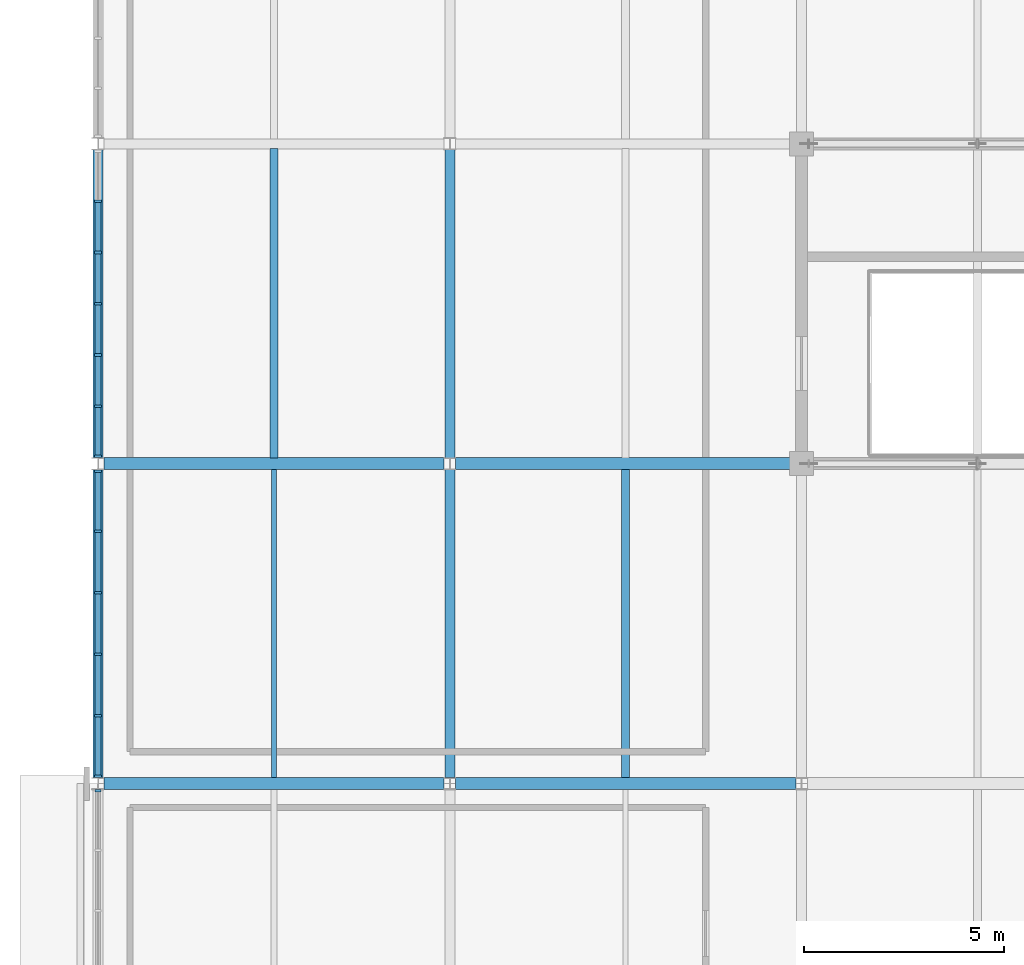
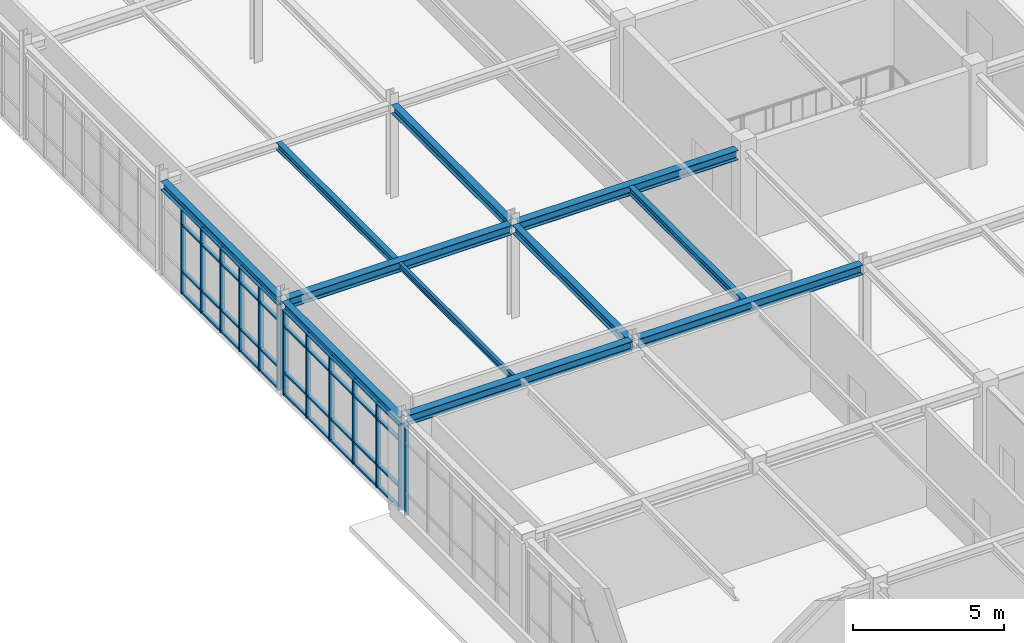
# One storey, part 16 of 64: 53 members, 11 beams, 3 elements without a shape of their own.
"""IFC4 building model written with IfcOpenShell, lengths in metres."""

from ifc_helpers import new_model, si_unit, direction, frame, origin, origin_2d, place, context, subcontext, project, spatial, rectangle, i_section, extrude, material, material_profile, profile_set, type_object, element, aggregate, save


model = new_model("IFC4")

# Units and contexts
model_context = context("Model", 3, precision=1e-05, world=origin(), true_north=direction((0.0, 1.0)))
body_context = subcontext(model_context, "Body", "Model", "MODEL_VIEW")
ifc_project = project(units=[si_unit("LENGTHUNIT", "METRE"), si_unit("AREAUNIT", "SQUARE_METRE"), si_unit("VOLUMEUNIT", "CUBIC_METRE"), si_unit("PLANEANGLEUNIT", "RADIAN"), si_unit("MASSUNIT", "GRAM", prefix="KILO")], contexts=[model_context])

# Site, building, storey
site_placement = place(None, origin())
site = spatial("IfcSite", under=ifc_project, at=site_placement, CompositionType="ELEMENT")
building_placement = place(site_placement, origin())
building = spatial("IfcBuilding", under=site, at=building_placement, Name="Zhaolan Boulevard Law Courts", CompositionType="ELEMENT")
storey_placement = place(building_placement, frame((0.0, 0.0, 20.39990234375)))
storey = spatial("IfcBuildingStorey", under=building, at=storey_placement, Name="L04", CompositionType="ELEMENT", Elevation=20.39990234375)

# Curtain wall, member
ifc_material_1 = material(Name="Thermally broken aluminium and low-E glazing", Category="aluminium")
curtain_wall_type_1 = type_object("IfcCurtainWallType", Name="CURTAIN WALL M3", PredefinedType="USERDEFINED", material=ifc_material_1)
curtain_wall_1_placement = place(storey_placement, origin())
curtain_wall_1 = element("IfcCurtainWall", 1, at=curtain_wall_1_placement, inside=storey, type_object=curtain_wall_type_1, Name="Curtain Wall CW-L04-195", ObjectType="CURTAIN WALL", PredefinedType="USERDEFINED")
ifc_material_2 = material(Name="Fluorocarbon-coated aluminium 6063-T6", Category="aluminium")
ifc_material_profile_1 = material_profile(ifc_material_2, rectangle(XDim=0.159912109375, YDim=0.06005859375, at=origin_2d()), Name="AL60x160")
ifc_profile_set_1 = profile_set([ifc_material_profile_1], Name="Fluorocarbon-coated aluminium 6063-T6")
member_type_1 = type_object("IfcMemberType", Name="CWMULLION 60X160", PredefinedType="MULLION", material=ifc_profile_set_1)
member_1_placement = place(storey_placement, frame((0.0, 77.818115234375, 0.0), z_axis=(0.0, 0.0, 1.0), x_axis=(1.0, 0.0, 0.0)))
member_1 = element("IfcMember", 2, at=member_1_placement, type_object=member_type_1, Name="CW-L04-195 mullion 1", PredefinedType="MULLION", context=body_context, shape_type="SweptSolid", body=[
    extrude(rectangle(XDim=0.159912109375, YDim=0.06005859375, at=origin_2d()), origin(), (0.0, 0.0, 1.0), 3.593017578125),
])
aggregate(curtain_wall_1, [member_1])

# Curtain wall, members
ifc_material_3 = material(Name="Thermally broken aluminium and low-E glazing", Category="aluminium")
curtain_wall_type_2 = type_object("IfcCurtainWallType", Name="CURTAIN WALL M11", PredefinedType="USERDEFINED", material=ifc_material_3)
curtain_wall_2_placement = place(storey_placement, origin())
curtain_wall_2 = element("IfcCurtainWall", 3, at=curtain_wall_2_placement, inside=storey, type_object=curtain_wall_type_2, Name="Curtain Wall CW-L04-131", ObjectType="CURTAIN WALL", PredefinedType="USERDEFINED")
ifc_material_4 = material(Name="Fluorocarbon-coated aluminium 6063-T6", Category="aluminium")
ifc_material_profile_2 = material_profile(ifc_material_4, rectangle(XDim=0.179931640625, YDim=0.06494140625, at=origin_2d()), Name="AL65x180")
ifc_profile_set_2 = profile_set([ifc_material_profile_2], Name="Fluorocarbon-coated aluminium 6063-T6")
member_type_2 = type_object("IfcMemberType", Name="CWMULLION 65X180", PredefinedType="MULLION", material=ifc_profile_set_2)
member_2_placement = place(storey_placement, frame((0.0, 85.8154296875, 0.0), z_axis=(0.0, 0.0, 1.0), x_axis=(1.0, 0.0, 0.0)))
member_2 = element("IfcMember", 4, at=member_2_placement, type_object=member_type_2, Name="CW-L04-131 mullion 1", PredefinedType="MULLION", context=body_context, shape_type="SweptSolid", body=[
    extrude(rectangle(XDim=0.179931640625, YDim=0.06494140625, at=origin_2d()), origin(), (0.0, 0.0, 1.0), 3.423095703125),
])
member_3_placement = place(storey_placement, frame((0.0, 84.308837890625, 0.0), z_axis=(0.0, 0.0, 1.0), x_axis=(1.0, 0.0, 0.0)))
member_3 = element("IfcMember", 5, at=member_3_placement, type_object=member_type_2, Name="CW-L04-131 mullion 2", PredefinedType="MULLION", context=body_context, shape_type="SweptSolid", body=[
    extrude(rectangle(XDim=0.179931640625, YDim=0.06494140625, at=origin_2d()), origin(), (0.0, 0.0, 1.0), 3.423095703125),
])
member_4_placement = place(storey_placement, frame((0.0, 82.76953125, 0.0), z_axis=(0.0, 0.0, 1.0), x_axis=(1.0, 0.0, 0.0)))
member_4 = element("IfcMember", 6, at=member_4_placement, type_object=member_type_2, Name="CW-L04-131 mullion 3", PredefinedType="MULLION", context=body_context, shape_type="SweptSolid", body=[
    extrude(rectangle(XDim=0.179931640625, YDim=0.06494140625, at=origin_2d()), origin(), (0.0, 0.0, 1.0), 3.423095703125),
])
member_5_placement = place(storey_placement, frame((0.0, 81.23046875, 0.0), z_axis=(0.0, 0.0, 1.0), x_axis=(1.0, 0.0, 0.0)))
member_5 = element("IfcMember", 7, at=member_5_placement, type_object=member_type_2, Name="CW-L04-131 mullion 4", PredefinedType="MULLION", context=body_context, shape_type="SweptSolid", body=[
    extrude(rectangle(XDim=0.179931640625, YDim=0.06494140625, at=origin_2d()), origin(), (0.0, 0.0, 1.0), 3.423095703125),
])
member_6_placement = place(storey_placement, frame((0.0, 79.691162109375, 0.0), z_axis=(0.0, 0.0, 1.0), x_axis=(1.0, 0.0, 0.0)))
member_6 = element("IfcMember", 8, at=member_6_placement, type_object=member_type_2, Name="CW-L04-131 mullion 5", PredefinedType="MULLION", context=body_context, shape_type="SweptSolid", body=[
    extrude(rectangle(XDim=0.179931640625, YDim=0.06494140625, at=origin_2d()), origin(), (0.0, 0.0, 1.0), 3.423095703125),
])
member_7_placement = place(storey_placement, frame((0.0, 78.1845703125, 0.0), z_axis=(0.0, 0.0, 1.0), x_axis=(1.0, 0.0, 0.0)))
member_7 = element("IfcMember", 9, at=member_7_placement, type_object=member_type_2, Name="CW-L04-131 mullion 6", PredefinedType="MULLION", context=body_context, shape_type="SweptSolid", body=[
    extrude(rectangle(XDim=0.179931640625, YDim=0.06494140625, at=origin_2d()), origin(), (0.0, 0.0, 1.0), 3.423095703125),
])

ifc_material_5 = material(Name="Thermally broken aluminium and low-E glazing", Category="aluminium")
curtain_wall_type_3 = type_object("IfcCurtainWallType", Name="CURTAIN WALL M12", PredefinedType="USERDEFINED", material=ifc_material_5)
curtain_wall_3_placement = place(storey_placement, origin())
curtain_wall_3 = element("IfcCurtainWall", 10, at=curtain_wall_3_placement, inside=storey, type_object=curtain_wall_type_3, Name="Curtain Wall CW-L04-132", ObjectType="CURTAIN WALL", PredefinedType="USERDEFINED")
member_8_placement = place(storey_placement, frame((0.0, 92.5654296875, 0.0), z_axis=(0.0, 0.0, 1.0), x_axis=(1.0, 0.0, 0.0)))
member_8 = element("IfcMember", 11, at=member_8_placement, type_object=member_type_2, Name="CW-L04-132 mullion 2", PredefinedType="MULLION", context=body_context, shape_type="SweptSolid", body=[
    extrude(rectangle(XDim=0.179931640625, YDim=0.06494140625, at=origin_2d()), origin(), (0.0, 0.0, 1.0), 3.423095703125),
])
member_9_placement = place(storey_placement, frame((0.0, 91.28271484375, 0.0), z_axis=(0.0, 0.0, 1.0), x_axis=(1.0, 0.0, 0.0)))
member_9 = element("IfcMember", 12, at=member_9_placement, type_object=member_type_2, Name="CW-L04-132 mullion 3", PredefinedType="MULLION", context=body_context, shape_type="SweptSolid", body=[
    extrude(rectangle(XDim=0.179931640625, YDim=0.06494140625, at=origin_2d()), origin(), (0.0, 0.0, 1.0), 3.423095703125),
])
member_10_placement = place(storey_placement, frame((0.0, 90.0, 0.0), z_axis=(0.0, 0.0, 1.0), x_axis=(1.0, 0.0, 0.0)))
member_10 = element("IfcMember", 13, at=member_10_placement, type_object=member_type_2, Name="CW-L04-132 mullion 4", PredefinedType="MULLION", context=body_context, shape_type="SweptSolid", body=[
    extrude(rectangle(XDim=0.179931640625, YDim=0.06494140625, at=origin_2d()), origin(), (0.0, 0.0, 1.0), 3.423095703125),
])
member_11_placement = place(storey_placement, frame((0.0, 88.71728515625, 0.0), z_axis=(0.0, 0.0, 1.0), x_axis=(1.0, 0.0, 0.0)))
member_11 = element("IfcMember", 14, at=member_11_placement, type_object=member_type_2, Name="CW-L04-132 mullion 5", PredefinedType="MULLION", context=body_context, shape_type="SweptSolid", body=[
    extrude(rectangle(XDim=0.179931640625, YDim=0.06494140625, at=origin_2d()), origin(), (0.0, 0.0, 1.0), 3.423095703125),
])
member_12_placement = place(storey_placement, frame((0.0, 87.4345703125, 0.0), z_axis=(0.0, 0.0, 1.0), x_axis=(1.0, 0.0, 0.0)))
member_12 = element("IfcMember", 15, at=member_12_placement, type_object=member_type_2, Name="CW-L04-132 mullion 6", PredefinedType="MULLION", context=body_context, shape_type="SweptSolid", body=[
    extrude(rectangle(XDim=0.179931640625, YDim=0.06494140625, at=origin_2d()), origin(), (0.0, 0.0, 1.0), 3.423095703125),
])
member_13_placement = place(storey_placement, frame((0.0, 86.1845703125, 0.0), z_axis=(0.0, 0.0, 1.0), x_axis=(1.0, 0.0, 0.0)))
member_13 = element("IfcMember", 16, at=member_13_placement, type_object=member_type_2, Name="CW-L04-132 mullion 7", PredefinedType="MULLION", context=body_context, shape_type="SweptSolid", body=[
    extrude(rectangle(XDim=0.179931640625, YDim=0.06494140625, at=origin_2d()), origin(), (0.0, 0.0, 1.0), 3.423095703125),
])

# Member
ifc_material_6 = material(Name="Fluorocarbon-coated aluminium 6063-T6", Category="aluminium")
ifc_material_profile_3 = material_profile(ifc_material_6, rectangle(XDim=0.139892578125, YDim=0.06494140625, at=origin_2d()), Name="AL65x140")
ifc_profile_set_3 = profile_set([ifc_material_profile_3], Name="Fluorocarbon-coated aluminium 6063-T6")
member_type_3 = type_object("IfcMemberType", Name="CWTRANSOM 65X140", PredefinedType="USERDEFINED", material=ifc_profile_set_3)
member_14_placement = place(storey_placement, frame((0.0, 85.782958984375, 0.03271484375), z_axis=(0.0, -1.0, 0.0), x_axis=(1.0, 0.0, 0.0)))
member_14 = element("IfcMember", 17, at=member_14_placement, type_object=member_type_3, Name="CW-L04-131 transom 1.1", ObjectType="TRANSOM", PredefinedType="USERDEFINED", context=body_context, shape_type="SweptSolid", body=[
    extrude(rectangle(XDim=0.139892578125, YDim=0.06494140625, at=origin_2d()), origin(), (0.0, 0.0, 1.0), 1.441650390625),
])

member_15_placement = place(storey_placement, frame((0.0, 85.782958984375, 0.900146484375), z_axis=(0.0, -1.0, 0.0), x_axis=(1.0, 0.0, 0.0)))
member_15 = element("IfcMember", 18, at=member_15_placement, type_object=member_type_3, Name="CW-L04-131 transom 1.2", ObjectType="TRANSOM", PredefinedType="USERDEFINED", context=body_context, shape_type="SweptSolid", body=[
    extrude(rectangle(XDim=0.139892578125, YDim=0.06494140625, at=origin_2d()), origin(), (0.0, 0.0, 1.0), 1.441650390625),
])

member_16_placement = place(storey_placement, frame((0.0, 85.782958984375, 2.773193359375), z_axis=(0.0, -1.0, 0.0), x_axis=(1.0, 0.0, 0.0)))
member_16 = element("IfcMember", 19, at=member_16_placement, type_object=member_type_3, Name="CW-L04-131 transom 1.3", ObjectType="TRANSOM", PredefinedType="USERDEFINED", context=body_context, shape_type="SweptSolid", body=[
    extrude(rectangle(XDim=0.139892578125, YDim=0.06494140625, at=origin_2d()), origin(), (0.0, 0.0, 1.0), 1.441650390625),
])

member_17_placement = place(storey_placement, frame((0.0, 85.782958984375, 3.390625), z_axis=(0.0, -1.0, 0.0), x_axis=(1.0, 0.0, 0.0)))
member_17 = element("IfcMember", 20, at=member_17_placement, type_object=member_type_3, Name="CW-L04-131 transom 1.4", ObjectType="TRANSOM", PredefinedType="USERDEFINED", context=body_context, shape_type="SweptSolid", body=[
    extrude(rectangle(XDim=0.139892578125, YDim=0.06494140625, at=origin_2d()), origin(), (0.0, 0.0, 1.0), 1.441650390625),
])

member_18_placement = place(storey_placement, frame((0.0, 84.2763671875, 0.03271484375), z_axis=(0.0, -1.0, 0.0), x_axis=(1.0, 0.0, 0.0)))
member_18 = element("IfcMember", 21, at=member_18_placement, type_object=member_type_3, Name="CW-L04-131 transom 2.1", ObjectType="TRANSOM", PredefinedType="USERDEFINED", context=body_context, shape_type="SweptSolid", body=[
    extrude(rectangle(XDim=0.139892578125, YDim=0.06494140625, at=origin_2d()), origin(), (0.0, 0.0, 1.0), 1.474365234375),
])

member_19_placement = place(storey_placement, frame((0.0, 84.2763671875, 0.900146484375), z_axis=(0.0, -1.0, 0.0), x_axis=(1.0, 0.0, 0.0)))
member_19 = element("IfcMember", 22, at=member_19_placement, type_object=member_type_3, Name="CW-L04-131 transom 2.2", ObjectType="TRANSOM", PredefinedType="USERDEFINED", context=body_context, shape_type="SweptSolid", body=[
    extrude(rectangle(XDim=0.139892578125, YDim=0.06494140625, at=origin_2d()), origin(), (0.0, 0.0, 1.0), 1.474365234375),
])

member_20_placement = place(storey_placement, frame((0.0, 84.2763671875, 2.773193359375), z_axis=(0.0, -1.0, 0.0), x_axis=(1.0, 0.0, 0.0)))
member_20 = element("IfcMember", 23, at=member_20_placement, type_object=member_type_3, Name="CW-L04-131 transom 2.3", ObjectType="TRANSOM", PredefinedType="USERDEFINED", context=body_context, shape_type="SweptSolid", body=[
    extrude(rectangle(XDim=0.139892578125, YDim=0.06494140625, at=origin_2d()), origin(), (0.0, 0.0, 1.0), 1.474365234375),
])

member_21_placement = place(storey_placement, frame((0.0, 84.2763671875, 3.390625), z_axis=(0.0, -1.0, 0.0), x_axis=(1.0, 0.0, 0.0)))
member_21 = element("IfcMember", 24, at=member_21_placement, type_object=member_type_3, Name="CW-L04-131 transom 2.4", ObjectType="TRANSOM", PredefinedType="USERDEFINED", context=body_context, shape_type="SweptSolid", body=[
    extrude(rectangle(XDim=0.139892578125, YDim=0.06494140625, at=origin_2d()), origin(), (0.0, 0.0, 1.0), 1.474365234375),
])

member_22_placement = place(storey_placement, frame((0.0, 82.737060546875, 0.03271484375), z_axis=(0.0, -1.0, 0.0), x_axis=(1.0, 0.0, 0.0)))
member_22 = element("IfcMember", 25, at=member_22_placement, type_object=member_type_3, Name="CW-L04-131 transom 3.1", ObjectType="TRANSOM", PredefinedType="USERDEFINED", context=body_context, shape_type="SweptSolid", body=[
    extrude(rectangle(XDim=0.139892578125, YDim=0.06494140625, at=origin_2d()), origin(), (0.0, 0.0, 1.0), 1.47412109375),
])

member_23_placement = place(storey_placement, frame((0.0, 82.737060546875, 0.900146484375), z_axis=(0.0, -1.0, 0.0), x_axis=(1.0, 0.0, 0.0)))
member_23 = element("IfcMember", 26, at=member_23_placement, type_object=member_type_3, Name="CW-L04-131 transom 3.2", ObjectType="TRANSOM", PredefinedType="USERDEFINED", context=body_context, shape_type="SweptSolid", body=[
    extrude(rectangle(XDim=0.139892578125, YDim=0.06494140625, at=origin_2d()), origin(), (0.0, 0.0, 1.0), 1.47412109375),
])

member_24_placement = place(storey_placement, frame((0.0, 82.737060546875, 2.773193359375), z_axis=(0.0, -1.0, 0.0), x_axis=(1.0, 0.0, 0.0)))
member_24 = element("IfcMember", 27, at=member_24_placement, type_object=member_type_3, Name="CW-L04-131 transom 3.3", ObjectType="TRANSOM", PredefinedType="USERDEFINED", context=body_context, shape_type="SweptSolid", body=[
    extrude(rectangle(XDim=0.139892578125, YDim=0.06494140625, at=origin_2d()), origin(), (0.0, 0.0, 1.0), 1.47412109375),
])

member_25_placement = place(storey_placement, frame((0.0, 82.737060546875, 3.390625), z_axis=(0.0, -1.0, 0.0), x_axis=(1.0, 0.0, 0.0)))
member_25 = element("IfcMember", 28, at=member_25_placement, type_object=member_type_3, Name="CW-L04-131 transom 3.4", ObjectType="TRANSOM", PredefinedType="USERDEFINED", context=body_context, shape_type="SweptSolid", body=[
    extrude(rectangle(XDim=0.139892578125, YDim=0.06494140625, at=origin_2d()), origin(), (0.0, 0.0, 1.0), 1.47412109375),
])

member_26_placement = place(storey_placement, frame((0.0, 81.197998046875, 0.03271484375), z_axis=(0.0, -1.0, 0.0), x_axis=(1.0, 0.0, 0.0)))
member_26 = element("IfcMember", 29, at=member_26_placement, type_object=member_type_3, Name="CW-L04-131 transom 4.1", ObjectType="TRANSOM", PredefinedType="USERDEFINED", context=body_context, shape_type="SweptSolid", body=[
    extrude(rectangle(XDim=0.139892578125, YDim=0.06494140625, at=origin_2d()), origin(), (0.0, 0.0, 1.0), 1.474365234375),
])

member_27_placement = place(storey_placement, frame((0.0, 81.197998046875, 0.900146484375), z_axis=(0.0, -1.0, 0.0), x_axis=(1.0, 0.0, 0.0)))
member_27 = element("IfcMember", 30, at=member_27_placement, type_object=member_type_3, Name="CW-L04-131 transom 4.2", ObjectType="TRANSOM", PredefinedType="USERDEFINED", context=body_context, shape_type="SweptSolid", body=[
    extrude(rectangle(XDim=0.139892578125, YDim=0.06494140625, at=origin_2d()), origin(), (0.0, 0.0, 1.0), 1.474365234375),
])

member_28_placement = place(storey_placement, frame((0.0, 81.197998046875, 2.773193359375), z_axis=(0.0, -1.0, 0.0), x_axis=(1.0, 0.0, 0.0)))
member_28 = element("IfcMember", 31, at=member_28_placement, type_object=member_type_3, Name="CW-L04-131 transom 4.3", ObjectType="TRANSOM", PredefinedType="USERDEFINED", context=body_context, shape_type="SweptSolid", body=[
    extrude(rectangle(XDim=0.139892578125, YDim=0.06494140625, at=origin_2d()), origin(), (0.0, 0.0, 1.0), 1.474365234375),
])

member_29_placement = place(storey_placement, frame((0.0, 81.197998046875, 3.390625), z_axis=(0.0, -1.0, 0.0), x_axis=(1.0, 0.0, 0.0)))
member_29 = element("IfcMember", 32, at=member_29_placement, type_object=member_type_3, Name="CW-L04-131 transom 4.4", ObjectType="TRANSOM", PredefinedType="USERDEFINED", context=body_context, shape_type="SweptSolid", body=[
    extrude(rectangle(XDim=0.139892578125, YDim=0.06494140625, at=origin_2d()), origin(), (0.0, 0.0, 1.0), 1.474365234375),
])

member_30_placement = place(storey_placement, frame((0.0, 79.65869140625, 0.03271484375), z_axis=(0.0, -1.0, 0.0), x_axis=(1.0, 0.0, 0.0)))
member_30 = element("IfcMember", 33, at=member_30_placement, type_object=member_type_3, Name="CW-L04-131 transom 5.1", ObjectType="TRANSOM", PredefinedType="USERDEFINED", context=body_context, shape_type="SweptSolid", body=[
    extrude(rectangle(XDim=0.139892578125, YDim=0.06494140625, at=origin_2d()), origin(), (0.0, 0.0, 1.0), 1.441650390625),
])

member_31_placement = place(storey_placement, frame((0.0, 79.65869140625, 0.900146484375), z_axis=(0.0, -1.0, 0.0), x_axis=(1.0, 0.0, 0.0)))
member_31 = element("IfcMember", 34, at=member_31_placement, type_object=member_type_3, Name="CW-L04-131 transom 5.2", ObjectType="TRANSOM", PredefinedType="USERDEFINED", context=body_context, shape_type="SweptSolid", body=[
    extrude(rectangle(XDim=0.139892578125, YDim=0.06494140625, at=origin_2d()), origin(), (0.0, 0.0, 1.0), 1.441650390625),
])

member_32_placement = place(storey_placement, frame((0.0, 79.65869140625, 2.773193359375), z_axis=(0.0, -1.0, 0.0), x_axis=(1.0, 0.0, 0.0)))
member_32 = element("IfcMember", 35, at=member_32_placement, type_object=member_type_3, Name="CW-L04-131 transom 5.3", ObjectType="TRANSOM", PredefinedType="USERDEFINED", context=body_context, shape_type="SweptSolid", body=[
    extrude(rectangle(XDim=0.139892578125, YDim=0.06494140625, at=origin_2d()), origin(), (0.0, 0.0, 1.0), 1.441650390625),
])

member_33_placement = place(storey_placement, frame((0.0, 79.65869140625, 3.390625), z_axis=(0.0, -1.0, 0.0), x_axis=(1.0, 0.0, 0.0)))
member_33 = element("IfcMember", 36, at=member_33_placement, type_object=member_type_3, Name="CW-L04-131 transom 5.4", ObjectType="TRANSOM", PredefinedType="USERDEFINED", context=body_context, shape_type="SweptSolid", body=[
    extrude(rectangle(XDim=0.139892578125, YDim=0.06494140625, at=origin_2d()), origin(), (0.0, 0.0, 1.0), 1.441650390625),
])

aggregate(curtain_wall_2, [member_2, member_3, member_4, member_5, member_6, member_7, member_14, member_15, member_16, member_17, member_18, member_19, member_20, member_21, member_22, member_23, member_24, member_25, member_26, member_27, member_28, member_29, member_30, member_31, member_32, member_33])

member_34_placement = place(storey_placement, frame((0.0, 92.53271484375, 0.03271484375), z_axis=(0.0, -1.0, 0.0), x_axis=(1.0, 0.0, 0.0)))
member_34 = element("IfcMember", 37, at=member_34_placement, type_object=member_type_3, Name="CW-L04-132 transom 2.1", ObjectType="TRANSOM", PredefinedType="USERDEFINED", context=body_context, shape_type="SweptSolid", body=[
    extrude(rectangle(XDim=0.139892578125, YDim=0.06494140625, at=origin_2d()), origin(), (0.0, 0.0, 1.0), 1.217529296875),
])

member_35_placement = place(storey_placement, frame((0.0, 92.53271484375, 0.900146484375), z_axis=(0.0, -1.0, 0.0), x_axis=(1.0, 0.0, 0.0)))
member_35 = element("IfcMember", 38, at=member_35_placement, type_object=member_type_3, Name="CW-L04-132 transom 2.2", ObjectType="TRANSOM", PredefinedType="USERDEFINED", context=body_context, shape_type="SweptSolid", body=[
    extrude(rectangle(XDim=0.139892578125, YDim=0.06494140625, at=origin_2d()), origin(), (0.0, 0.0, 1.0), 1.217529296875),
])

member_36_placement = place(storey_placement, frame((0.0, 92.53271484375, 2.773193359375), z_axis=(0.0, -1.0, 0.0), x_axis=(1.0, 0.0, 0.0)))
member_36 = element("IfcMember", 39, at=member_36_placement, type_object=member_type_3, Name="CW-L04-132 transom 2.3", ObjectType="TRANSOM", PredefinedType="USERDEFINED", context=body_context, shape_type="SweptSolid", body=[
    extrude(rectangle(XDim=0.139892578125, YDim=0.06494140625, at=origin_2d()), origin(), (0.0, 0.0, 1.0), 1.217529296875),
])

member_37_placement = place(storey_placement, frame((0.0, 92.53271484375, 3.390625), z_axis=(0.0, -1.0, 0.0), x_axis=(1.0, 0.0, 0.0)))
member_37 = element("IfcMember", 40, at=member_37_placement, type_object=member_type_3, Name="CW-L04-132 transom 2.4", ObjectType="TRANSOM", PredefinedType="USERDEFINED", context=body_context, shape_type="SweptSolid", body=[
    extrude(rectangle(XDim=0.139892578125, YDim=0.06494140625, at=origin_2d()), origin(), (0.0, 0.0, 1.0), 1.217529296875),
])

member_38_placement = place(storey_placement, frame((0.0, 91.250244140625, 0.03271484375), z_axis=(0.0, -1.0, 0.0), x_axis=(1.0, 0.0, 0.0)))
member_38 = element("IfcMember", 41, at=member_38_placement, type_object=member_type_3, Name="CW-L04-132 transom 3.1", ObjectType="TRANSOM", PredefinedType="USERDEFINED", context=body_context, shape_type="SweptSolid", body=[
    extrude(rectangle(XDim=0.139892578125, YDim=0.06494140625, at=origin_2d()), origin(), (0.0, 0.0, 1.0), 1.2177734375),
])

member_39_placement = place(storey_placement, frame((0.0, 91.250244140625, 0.900146484375), z_axis=(0.0, -1.0, 0.0), x_axis=(1.0, 0.0, 0.0)))
member_39 = element("IfcMember", 42, at=member_39_placement, type_object=member_type_3, Name="CW-L04-132 transom 3.2", ObjectType="TRANSOM", PredefinedType="USERDEFINED", context=body_context, shape_type="SweptSolid", body=[
    extrude(rectangle(XDim=0.139892578125, YDim=0.06494140625, at=origin_2d()), origin(), (0.0, 0.0, 1.0), 1.2177734375),
])

member_40_placement = place(storey_placement, frame((0.0, 91.250244140625, 2.773193359375), z_axis=(0.0, -1.0, 0.0), x_axis=(1.0, 0.0, 0.0)))
member_40 = element("IfcMember", 43, at=member_40_placement, type_object=member_type_3, Name="CW-L04-132 transom 3.3", ObjectType="TRANSOM", PredefinedType="USERDEFINED", context=body_context, shape_type="SweptSolid", body=[
    extrude(rectangle(XDim=0.139892578125, YDim=0.06494140625, at=origin_2d()), origin(), (0.0, 0.0, 1.0), 1.2177734375),
])

member_41_placement = place(storey_placement, frame((0.0, 91.250244140625, 3.390625), z_axis=(0.0, -1.0, 0.0), x_axis=(1.0, 0.0, 0.0)))
member_41 = element("IfcMember", 44, at=member_41_placement, type_object=member_type_3, Name="CW-L04-132 transom 3.4", ObjectType="TRANSOM", PredefinedType="USERDEFINED", context=body_context, shape_type="SweptSolid", body=[
    extrude(rectangle(XDim=0.139892578125, YDim=0.06494140625, at=origin_2d()), origin(), (0.0, 0.0, 1.0), 1.2177734375),
])

member_42_placement = place(storey_placement, frame((0.0, 89.967529296875, 0.03271484375), z_axis=(0.0, -1.0, 0.0), x_axis=(1.0, 0.0, 0.0)))
member_42 = element("IfcMember", 45, at=member_42_placement, type_object=member_type_3, Name="CW-L04-132 transom 4.1", ObjectType="TRANSOM", PredefinedType="USERDEFINED", context=body_context, shape_type="SweptSolid", body=[
    extrude(rectangle(XDim=0.139892578125, YDim=0.06494140625, at=origin_2d()), origin(), (0.0, 0.0, 1.0), 1.2177734375),
])

member_43_placement = place(storey_placement, frame((0.0, 89.967529296875, 0.900146484375), z_axis=(0.0, -1.0, 0.0), x_axis=(1.0, 0.0, 0.0)))
member_43 = element("IfcMember", 46, at=member_43_placement, type_object=member_type_3, Name="CW-L04-132 transom 4.2", ObjectType="TRANSOM", PredefinedType="USERDEFINED", context=body_context, shape_type="SweptSolid", body=[
    extrude(rectangle(XDim=0.139892578125, YDim=0.06494140625, at=origin_2d()), origin(), (0.0, 0.0, 1.0), 1.2177734375),
])

member_44_placement = place(storey_placement, frame((0.0, 89.967529296875, 2.773193359375), z_axis=(0.0, -1.0, 0.0), x_axis=(1.0, 0.0, 0.0)))
member_44 = element("IfcMember", 47, at=member_44_placement, type_object=member_type_3, Name="CW-L04-132 transom 4.3", ObjectType="TRANSOM", PredefinedType="USERDEFINED", context=body_context, shape_type="SweptSolid", body=[
    extrude(rectangle(XDim=0.139892578125, YDim=0.06494140625, at=origin_2d()), origin(), (0.0, 0.0, 1.0), 1.2177734375),
])

member_45_placement = place(storey_placement, frame((0.0, 89.967529296875, 3.390625), z_axis=(0.0, -1.0, 0.0), x_axis=(1.0, 0.0, 0.0)))
member_45 = element("IfcMember", 48, at=member_45_placement, type_object=member_type_3, Name="CW-L04-132 transom 4.4", ObjectType="TRANSOM", PredefinedType="USERDEFINED", context=body_context, shape_type="SweptSolid", body=[
    extrude(rectangle(XDim=0.139892578125, YDim=0.06494140625, at=origin_2d()), origin(), (0.0, 0.0, 1.0), 1.2177734375),
])

member_46_placement = place(storey_placement, frame((0.0, 88.684814453125, 0.03271484375), z_axis=(0.0, -1.0, 0.0), x_axis=(1.0, 0.0, 0.0)))
member_46 = element("IfcMember", 49, at=member_46_placement, type_object=member_type_3, Name="CW-L04-132 transom 5.1", ObjectType="TRANSOM", PredefinedType="USERDEFINED", context=body_context, shape_type="SweptSolid", body=[
    extrude(rectangle(XDim=0.139892578125, YDim=0.06494140625, at=origin_2d()), origin(), (0.0, 0.0, 1.0), 1.217529296875),
])

member_47_placement = place(storey_placement, frame((0.0, 88.684814453125, 0.900146484375), z_axis=(0.0, -1.0, 0.0), x_axis=(1.0, 0.0, 0.0)))
member_47 = element("IfcMember", 50, at=member_47_placement, type_object=member_type_3, Name="CW-L04-132 transom 5.2", ObjectType="TRANSOM", PredefinedType="USERDEFINED", context=body_context, shape_type="SweptSolid", body=[
    extrude(rectangle(XDim=0.139892578125, YDim=0.06494140625, at=origin_2d()), origin(), (0.0, 0.0, 1.0), 1.217529296875),
])

member_48_placement = place(storey_placement, frame((0.0, 88.684814453125, 2.773193359375), z_axis=(0.0, -1.0, 0.0), x_axis=(1.0, 0.0, 0.0)))
member_48 = element("IfcMember", 51, at=member_48_placement, type_object=member_type_3, Name="CW-L04-132 transom 5.3", ObjectType="TRANSOM", PredefinedType="USERDEFINED", context=body_context, shape_type="SweptSolid", body=[
    extrude(rectangle(XDim=0.139892578125, YDim=0.06494140625, at=origin_2d()), origin(), (0.0, 0.0, 1.0), 1.217529296875),
])

member_49_placement = place(storey_placement, frame((0.0, 88.684814453125, 3.390625), z_axis=(0.0, -1.0, 0.0), x_axis=(1.0, 0.0, 0.0)))
member_49 = element("IfcMember", 52, at=member_49_placement, type_object=member_type_3, Name="CW-L04-132 transom 5.4", ObjectType="TRANSOM", PredefinedType="USERDEFINED", context=body_context, shape_type="SweptSolid", body=[
    extrude(rectangle(XDim=0.139892578125, YDim=0.06494140625, at=origin_2d()), origin(), (0.0, 0.0, 1.0), 1.217529296875),
])

member_50_placement = place(storey_placement, frame((0.0, 87.402099609375, 0.03271484375), z_axis=(0.0, -1.0, 0.0), x_axis=(1.0, 0.0, 0.0)))
member_50 = element("IfcMember", 53, at=member_50_placement, type_object=member_type_3, Name="CW-L04-132 transom 6.1", ObjectType="TRANSOM", PredefinedType="USERDEFINED", context=body_context, shape_type="SweptSolid", body=[
    extrude(rectangle(XDim=0.139892578125, YDim=0.06494140625, at=origin_2d()), origin(), (0.0, 0.0, 1.0), 1.18505859375),
])

member_51_placement = place(storey_placement, frame((0.0, 87.402099609375, 0.900146484375), z_axis=(0.0, -1.0, 0.0), x_axis=(1.0, 0.0, 0.0)))
member_51 = element("IfcMember", 54, at=member_51_placement, type_object=member_type_3, Name="CW-L04-132 transom 6.2", ObjectType="TRANSOM", PredefinedType="USERDEFINED", context=body_context, shape_type="SweptSolid", body=[
    extrude(rectangle(XDim=0.139892578125, YDim=0.06494140625, at=origin_2d()), origin(), (0.0, 0.0, 1.0), 1.18505859375),
])

member_52_placement = place(storey_placement, frame((0.0, 87.402099609375, 2.773193359375), z_axis=(0.0, -1.0, 0.0), x_axis=(1.0, 0.0, 0.0)))
member_52 = element("IfcMember", 55, at=member_52_placement, type_object=member_type_3, Name="CW-L04-132 transom 6.3", ObjectType="TRANSOM", PredefinedType="USERDEFINED", context=body_context, shape_type="SweptSolid", body=[
    extrude(rectangle(XDim=0.139892578125, YDim=0.06494140625, at=origin_2d()), origin(), (0.0, 0.0, 1.0), 1.18505859375),
])

member_53_placement = place(storey_placement, frame((0.0, 87.402099609375, 3.390625), z_axis=(0.0, -1.0, 0.0), x_axis=(1.0, 0.0, 0.0)))
member_53 = element("IfcMember", 56, at=member_53_placement, type_object=member_type_3, Name="CW-L04-132 transom 6.4", ObjectType="TRANSOM", PredefinedType="USERDEFINED", context=body_context, shape_type="SweptSolid", body=[
    extrude(rectangle(XDim=0.139892578125, YDim=0.06494140625, at=origin_2d()), origin(), (0.0, 0.0, 1.0), 1.18505859375),
])

aggregate(curtain_wall_3, [member_8, member_9, member_10, member_11, member_12, member_13, member_34, member_35, member_36, member_37, member_38, member_39, member_40, member_41, member_42, member_43, member_44, member_45, member_46, member_47, member_48, member_49, member_50, member_51, member_52, member_53])

# Beams
ifc_material_7 = material(Name="Structural steel Q355B", Category="steel")
ifc_material_profile_4 = material_profile(ifc_material_7, i_section(OverallWidth=0.25, OverallDepth=0.340087890625, WebThickness=0.009033203125, FlangeThickness=0.013916015625, FilletRadius=0.01611328125, at=origin_2d()), Name="HM340x250")
ifc_profile_set_4 = profile_set([ifc_material_profile_4], Name="Structural steel Q355B")
beam_type_1 = type_object("IfcBeamType", Name="GIRDER HM340", PredefinedType="BEAM", material=ifc_profile_set_4)
for number, where, z_axis, x_axis, name in (
    (57, (0.0, 78.14599609375, 3.608154296875), (0.0, 1.0, 0.0), (-1.0, 0.0, 0.0), "Beam BY-L05-1-L-M"),
    (58, (0.0, 86.14599609375, 3.608154296875), (0.0, 1.0, 0.0), (-1.0, 0.0, 0.0), "Beam BY-L05-1-M-N"),
    (59, (8.800048828125, 78.14599609375, 3.608154296875), (0.0, 1.0, 0.0), (-1.0, 0.0, 0.0), "Beam BY-L05-2-L-M"),
    (60, (8.800048828125, 86.14599609375, 3.608154296875), (0.0, 1.0, 0.0), (-1.0, 0.0, 0.0), "Beam BY-L05-2-M-N"),
):
    element("IfcBeam", number, at=place(storey_placement, frame(where, z_axis=z_axis, x_axis=x_axis)), inside=storey, type_object=beam_type_1, Name=name, PredefinedType="BEAM", context=body_context, shape_type="SweptSolid", body=[
        extrude(i_section(OverallWidth=0.25, OverallDepth=0.340087890625, WebThickness=0.009033203125, FlangeThickness=0.013916015625, FilletRadius=0.01611328125, at=origin_2d()), origin(), (0.0, 0.0, 1.0), 7.7080078125),
    ])
ifc_material_8 = material(Name="Structural steel Q355B", Category="steel")
ifc_material_profile_5 = material_profile(ifc_material_8, i_section(OverallWidth=0.300048828125, OverallDepth=0.389892578125, WebThickness=0.010009765625, FlangeThickness=0.01611328125, FilletRadius=0.01806640625, at=origin_2d()), Name="HM390x300")
ifc_profile_set_5 = profile_set([ifc_material_profile_5], Name="Structural steel Q355B")
beam_type_2 = type_object("IfcBeamType", Name="GIRDER HM390", PredefinedType="BEAM", material=ifc_profile_set_5)
for number, where, z_axis, x_axis, name in (
    (61, (0.14599609375, 78.0, 3.753173828125), (1.0, 0.0, 0.0), (0.0, 1.0, 0.0), "Beam BX-L05-1-2-L"),
    (62, (8.946044921875, 78.0, 3.753173828125), (1.0, 0.0, 0.0), (0.0, 1.0, 0.0), "Beam BX-L05-2-3-L"),
    (63, (0.14599609375, 86.0, 3.5830078125), (1.0, 0.0, 0.0), (0.0, 1.0, 0.0), "Beam BX-L05-1-2-M"),
):
    element("IfcBeam", number, at=place(storey_placement, frame(where, z_axis=z_axis, x_axis=x_axis)), inside=storey, type_object=beam_type_2, Name=name, PredefinedType="BEAM", context=body_context, shape_type="SweptSolid", body=[
        extrude(i_section(OverallWidth=0.300048828125, OverallDepth=0.389892578125, WebThickness=0.010009765625, FlangeThickness=0.01611328125, FilletRadius=0.01806640625, at=origin_2d()), origin(), (0.0, 0.0, 1.0), 8.508056640625),
    ])
beam_1_placement = place(storey_placement, frame((8.946044921875, 86.0, 3.5830078125), z_axis=(1.0, 0.0, 0.0), x_axis=(0.0, 1.0, 0.0)))
element("IfcBeam", 64, at=beam_1_placement, inside=storey, type_object=beam_type_2, Name="Beam BX-L05-2-3-M", PredefinedType="BEAM", context=body_context, shape_type="SweptSolid", body=[
    extrude(i_section(OverallWidth=0.300048828125, OverallDepth=0.389892578125, WebThickness=0.010009765625, FlangeThickness=0.01611328125, FilletRadius=0.01806640625, at=origin_2d()), origin(), (0.0, 0.0, 1.0), 8.35791015625),
])
ifc_material_9 = material(Name="Structural steel Q355B", Category="steel")
ifc_material_profile_6 = material_profile(ifc_material_9, i_section(OverallWidth=0.199951171875, OverallDepth=0.2939453125, WebThickness=0.008056640625, FlangeThickness=0.011962890625, FilletRadius=0.01611328125, at=origin_2d()), Name="HM294x200")
ifc_profile_set_6 = profile_set([ifc_material_profile_6], Name="Structural steel Q355B")
beam_type_3 = type_object("IfcBeamType", Name="JOIST HM294", PredefinedType="JOIST", material=ifc_profile_set_6)
beam_2_placement = place(storey_placement, frame((4.39990234375, 86.14599609375, 3.631103515625), z_axis=(0.0, 1.0, 0.0), x_axis=(-1.0, 0.0, 0.0)))
element("IfcBeam", 65, at=beam_2_placement, inside=storey, type_object=beam_type_3, Name="Composite Joist J-L05-1M", PredefinedType="JOIST", context=body_context, shape_type="SweptSolid", body=[
    extrude(i_section(OverallWidth=0.199951171875, OverallDepth=0.2939453125, WebThickness=0.008056640625, FlangeThickness=0.011962890625, FilletRadius=0.01611328125, at=origin_2d()), origin(), (0.0, 0.0, 1.0), 7.73291015625),
])
beam_3_placement = place(storey_placement, frame((13.199951171875, 78.14599609375, 3.631103515625), z_axis=(0.0, 1.0, 0.0), x_axis=(-1.0, 0.0, 0.0)))
element("IfcBeam", 66, at=beam_3_placement, inside=storey, type_object=beam_type_3, Name="Composite Joist J-L05-2L", PredefinedType="JOIST", context=body_context, shape_type="SweptSolid", body=[
    extrude(i_section(OverallWidth=0.199951171875, OverallDepth=0.2939453125, WebThickness=0.008056640625, FlangeThickness=0.011962890625, FilletRadius=0.01611328125, at=origin_2d()), origin(), (0.0, 0.0, 1.0), 7.7080078125),
])
ifc_material_10 = material(Name="Structural steel Q355B", Category="steel")
ifc_material_profile_7 = material_profile(ifc_material_10, i_section(OverallWidth=0.125, OverallDepth=0.25, WebThickness=0.006103515625, FlangeThickness=0.009033203125, FilletRadius=0.010009765625, at=origin_2d()), Name="HN250x125")
ifc_profile_set_7 = profile_set([ifc_material_profile_7], Name="Structural steel Q355B")
beam_type_4 = type_object("IfcBeamType", Name="JOIST HN250", PredefinedType="JOIST", material=ifc_profile_set_7)
beam_4_placement = place(storey_placement, frame((4.39990234375, 78.14599609375, 3.653076171875), z_axis=(0.0, 1.0, 0.0), x_axis=(-1.0, 0.0, 0.0)))
element("IfcBeam", 67, at=beam_4_placement, inside=storey, type_object=beam_type_4, Name="Composite Joist J-L05-1L", PredefinedType="JOIST", context=body_context, shape_type="SweptSolid", body=[
    extrude(i_section(OverallWidth=0.125, OverallDepth=0.25, WebThickness=0.006103515625, FlangeThickness=0.009033203125, FilletRadius=0.010009765625, at=origin_2d()), origin(), (0.0, 0.0, 1.0), 7.7080078125),
])

save(model, "model.ifc")
